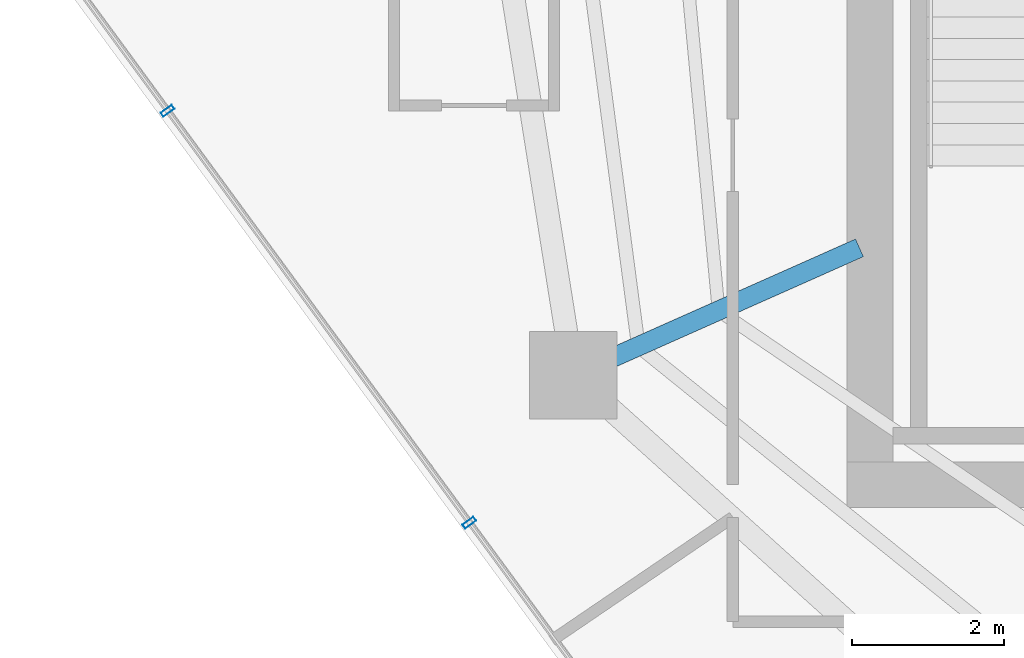
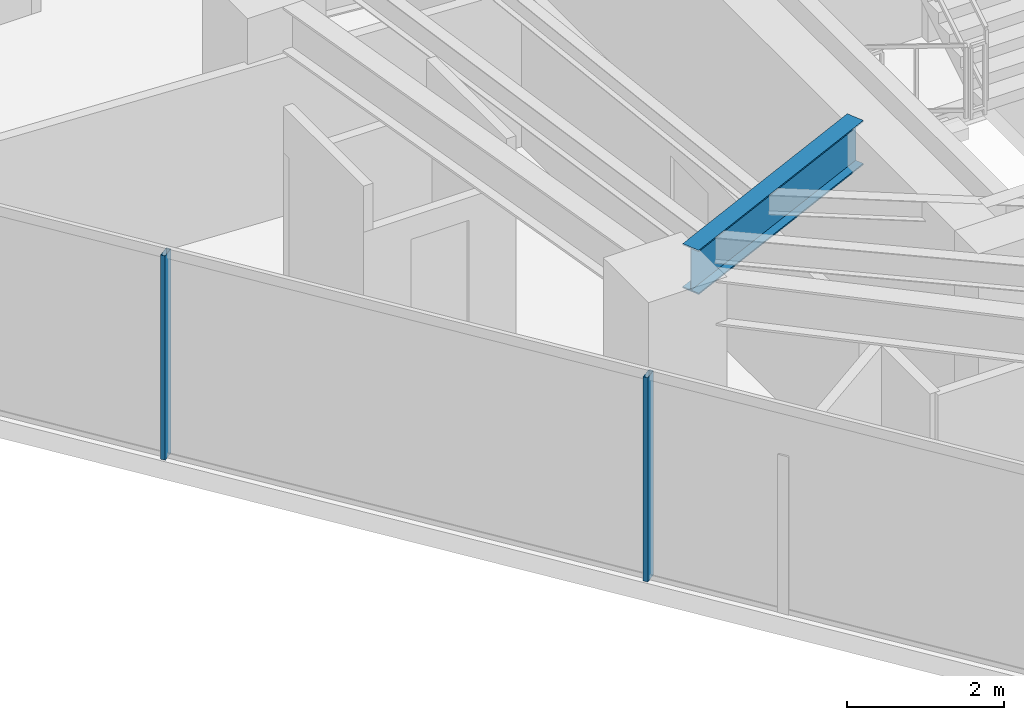
# One storey, part 6 of 30: 2 members, 1 beam, 1 element without a shape of its own.
"""IFC4 building model written with IfcOpenShell, lengths in metres."""

from ifc_helpers import new_model, si_unit, direction, frame, origin, origin_2d, place, context, subcontext, project, spatial, hollow_rectangle, i_section, extrude, material, layer, layer_set, material_profile, profile_set, type_object, element, aggregate, save


model = new_model("IFC4")

# Units and contexts
model_context = context("Model", 3, precision=1e-05, world=origin(), true_north=direction((0.0, 1.0)))
body_context = subcontext(model_context, "Body", "Model", "MODEL_VIEW")
ifc_project = project(units=[si_unit("LENGTHUNIT", "METRE"), si_unit("AREAUNIT", "SQUARE_METRE"), si_unit("VOLUMEUNIT", "CUBIC_METRE"), si_unit("PLANEANGLEUNIT", "RADIAN"), si_unit("MASSUNIT", "GRAM", prefix="KILO")], contexts=[model_context])

# Site, building, storey
site_placement = place(None, origin())
site = spatial("IfcSite", under=ifc_project, at=site_placement, CompositionType="ELEMENT")
building_placement = place(site_placement, origin())
building = spatial("IfcBuilding", under=site, at=building_placement, Name="Qarnah Convention Tower", CompositionType="ELEMENT")
storey_placement = place(building_placement, frame((0.0, 0.0, 90.14990234375)))
storey = spatial("IfcBuildingStorey", under=building, at=storey_placement, Name="L23", CompositionType="ELEMENT", Elevation=90.14990234375)

# Beam
ifc_material_1 = material(Name="Structural steel S355JR", Category="steel")
ifc_material_profile_1 = material_profile(ifc_material_1, i_section(OverallWidth=0.25390625, OverallDepth=0.68798828125, WebThickness=0.012939453125, FlangeThickness=0.02099609375, at=origin_2d()), Name="W690X152")
ifc_profile_set_1 = profile_set([ifc_material_profile_1], Name="Structural steel S355JR")
beam_type = type_object("IfcBeamType", Name="BM-RAD-W690", PredefinedType="BEAM", material=ifc_profile_set_1)
beam_placement = place(storey_placement, frame((26.6630859375, 21.708984375, 2.826171875), z_axis=(-0.913588053958, -0.4066409567, 0.0), x_axis=(0.4066409567, -0.913588053958, 0.0)))
element("IfcBeam", 1, at=beam_placement, inside=storey, type_object=beam_type, Name="L23 beam BM-L23-RAD-06", PredefinedType="BEAM", context=body_context, shape_type="SweptSolid", body=[
    extrude(i_section(OverallWidth=0.25390625, OverallDepth=0.68798828125, WebThickness=0.012939453125, FlangeThickness=0.02099609375, at=origin_2d()), origin(), (0.0, 0.0, 1.0), 3.560791015625),
])

# Curtain wall, members
ifc_material_2 = material(Name="Tempered Low-E dark glass", Category="glass")
ifc_layer = layer(ifc_material_2, 0.169921875)
ifc_layer_set = layer_set([ifc_layer], Name="Tempered Low-E dark glass")
curtain_wall_type = type_object("IfcCurtainWallType", Name="CWS-02", PredefinedType="NOTDEFINED", material=ifc_layer_set)
curtain_wall_placement = place(storey_placement, origin())
curtain_wall = element("IfcCurtainWall", 2, at=curtain_wall_placement, inside=storey, type_object=curtain_wall_type, Name="L23 unitised curtain wall CW-L23-F3", PredefinedType="NOTDEFINED")
ifc_material_3 = material(Name="Black anodised aluminium", Category="aluminium")
ifc_material_profile_2 = material_profile(ifc_material_3, hollow_rectangle(XDim=0.06494140625, YDim=0.179931640625, WallThickness=0.00390625, at=origin_2d()), Name="MUL-65X180")
ifc_profile_set_2 = profile_set([ifc_material_profile_2], Name="Black anodised aluminium")
member_type = type_object("IfcMemberType", Name="MUL-T2", PredefinedType="MULLION", material=ifc_profile_set_2)
member_1_placement = place(storey_placement, frame((21.541259765625, 18.101318359375, 0.0), z_axis=(0.0, 0.0, 1.0), x_axis=(-0.591160568734, 0.806553892789, 0.0)))
member_1 = element("IfcMember", 3, at=member_1_placement, type_object=member_type, Name="CW-L23-F3 mullion 4", PredefinedType="MULLION", context=body_context, shape_type="SweptSolid", body=[
    extrude(hollow_rectangle(XDim=0.06494140625, YDim=0.179931640625, WallThickness=0.00390625, at=origin_2d()), origin(), (0.0, 0.0, 1.0), 3.170166015625),
])
member_2_placement = place(storey_placement, frame((17.57861328125, 23.507568359375, 0.0), z_axis=(0.0, 0.0, 1.0), x_axis=(-0.591160568734, 0.806553892789, 0.0)))
member_2 = element("IfcMember", 4, at=member_2_placement, type_object=member_type, Name="CW-L23-F3 mullion 5", PredefinedType="MULLION", context=body_context, shape_type="SweptSolid", body=[
    extrude(hollow_rectangle(XDim=0.06494140625, YDim=0.179931640625, WallThickness=0.00390625, at=origin_2d()), origin(), (0.0, 0.0, 1.0), 3.170166015625),
])
aggregate(curtain_wall, [member_1, member_2])

save(model, "model.ifc")
